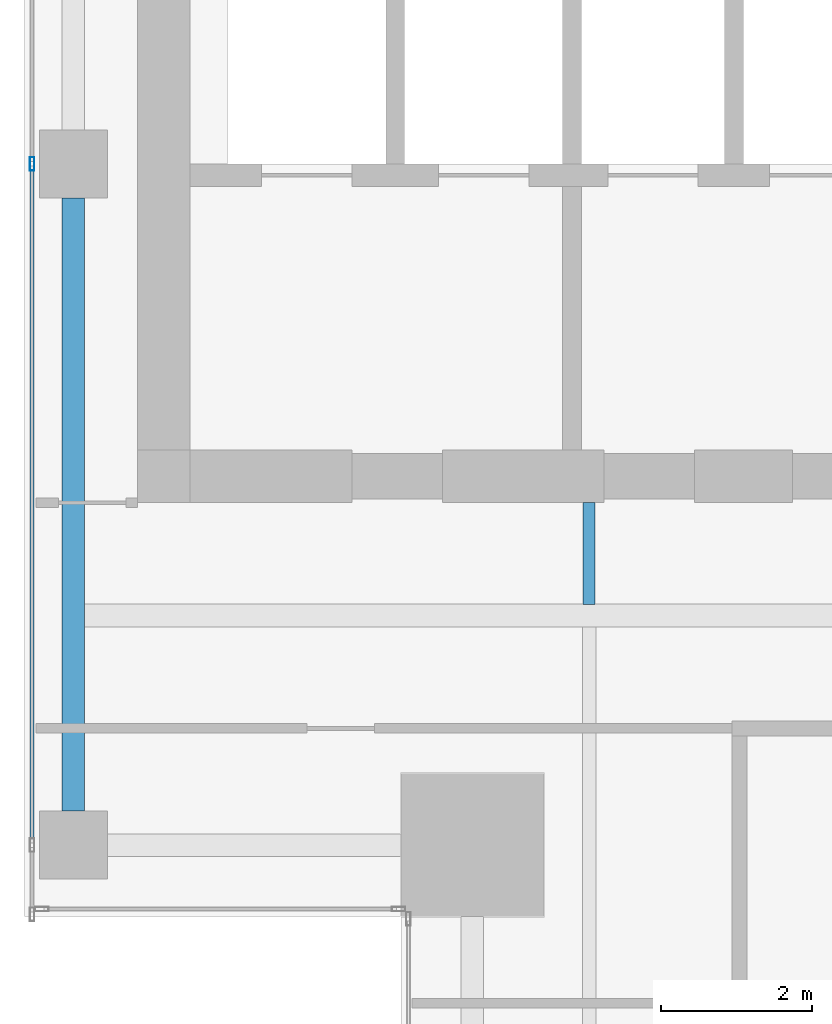
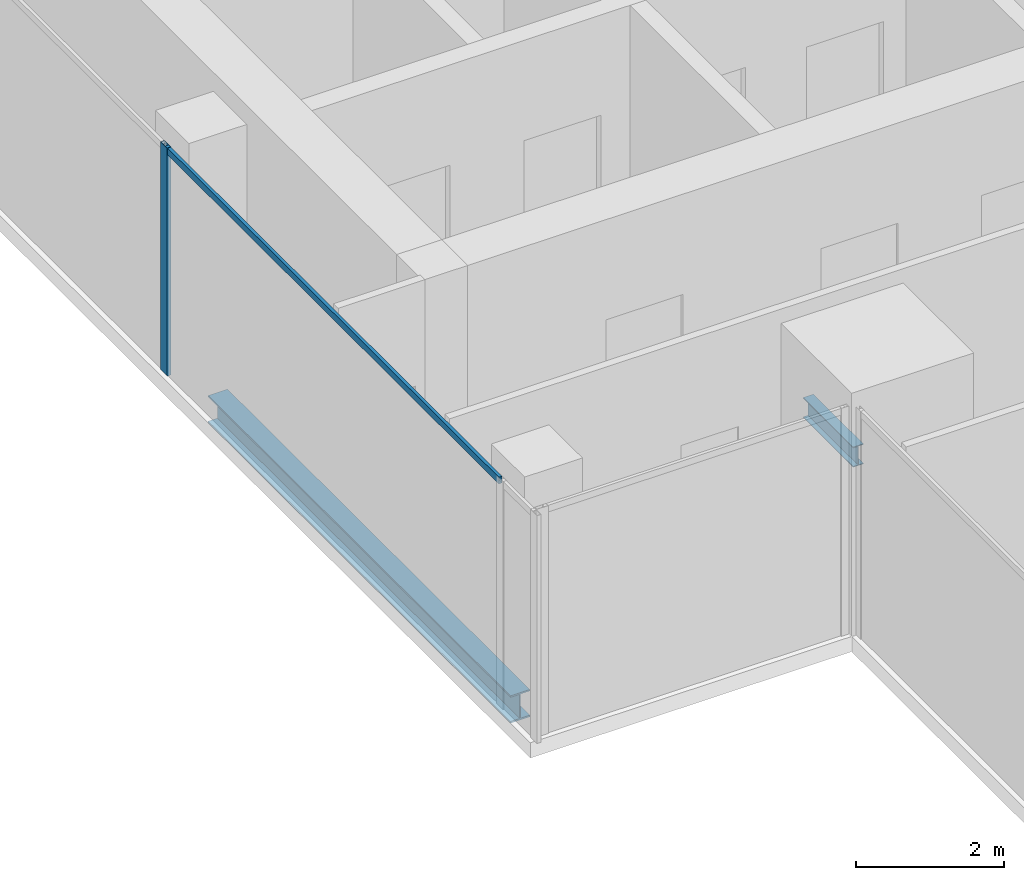
# One storey, part 4 of 35: 2 beams, 2 members, 1 element without a shape of its own.
"""IFC4 building model written with IfcOpenShell, lengths in metres."""

from ifc_helpers import new_model, si_unit, direction, frame, origin, origin_2d, place, context, subcontext, project, spatial, hollow_rectangle, i_section, extrude, source, transform, mapped, material, material_profile, profile_set, type_object, element, aggregate, save


model = new_model("IFC4")

# Units and contexts
model_context = context("Model", 3, precision=1e-05, world=origin(), true_north=direction((0.0, 1.0)))
body_context = subcontext(model_context, "Body", "Model", "MODEL_VIEW")
ifc_project = project(units=[si_unit("LENGTHUNIT", "METRE"), si_unit("AREAUNIT", "SQUARE_METRE"), si_unit("VOLUMEUNIT", "CUBIC_METRE"), si_unit("PLANEANGLEUNIT", "RADIAN"), si_unit("MASSUNIT", "GRAM", prefix="KILO")], contexts=[model_context])

# Site, building, storey
site_placement = place(None, origin())
site = spatial("IfcSite", under=ifc_project, at=site_placement, CompositionType="ELEMENT")
building_placement = place(site_placement, origin())
building = spatial("IfcBuilding", under=site, at=building_placement, Name="Khomas Fold Tower", CompositionType="ELEMENT")
storey_placement = place(building_placement, frame((0.0, 0.0, 270.199951171875)))
storey = spatial("IfcBuildingStorey", under=building, at=storey_placement, Name="L61", CompositionType="ELEMENT", Elevation=270.199951171875)

# Beams
ifc_material_1 = material(Name="Steel S355", Category="steel")
ifc_material_profile_1 = material_profile(ifc_material_1, i_section(OverallWidth=0.159912109375, OverallDepth=0.330078125, WebThickness=0.007568359375, FlangeThickness=0.011474609375, at=origin_2d()), Name="IPE 330")
ifc_profile_set_1 = profile_set([ifc_material_profile_1], Name="Steel S355")
beam_type_1 = type_object("IfcBeamType", Name="IPE 330 beam JB1", PredefinedType="BEAM", material=ifc_profile_set_1)
shared_shape_1 = source(origin(), body_context, "Body", "SweptSolid", [
    extrude(i_section(OverallWidth=0.159912109375, OverallDepth=0.330078125, WebThickness=0.007568359375, FlangeThickness=0.011474609375, at=origin_2d()), origin(), (0.0, 0.0, 1.0), 1.35009765625),
])
beam_1_placement = place(storey_placement, frame((12.0, 13.64990234375, -0.4150390625), z_axis=(0.0, 1.0, 0.0), x_axis=(-1.0, 0.0, 0.0)))
element("IfcBeam", 1, at=beam_1_placement, inside=storey, type_object=beam_type_1, Name="JB1", PredefinedType="BEAM", context=body_context, shape_type="MappedRepresentation", body=[
    mapped(shared_shape_1, transform((0.0, 0.0, 0.0))),
])
ifc_material_2 = material(Name="Steel S355", Category="steel")
ifc_material_profile_2 = material_profile(ifc_material_2, i_section(OverallWidth=0.300048828125, OverallDepth=0.449951171875, WebThickness=0.013916015625, FlangeThickness=0.02587890625, at=origin_2d()), Name="HE 450 B")
ifc_profile_set_2 = profile_set([ifc_material_profile_2], Name="Steel S355")
beam_type_2 = type_object("IfcBeamType", Name="HE 450 B spandrel SB4", PredefinedType="SPANDREL", material=ifc_profile_set_2)
shared_shape_2 = source(origin(), body_context, "Body", "SweptSolid", [
    extrude(i_section(OverallWidth=0.300048828125, OverallDepth=0.449951171875, WebThickness=0.013916015625, FlangeThickness=0.02587890625, at=origin_2d()), origin(), (0.0, 0.0, 1.0), 8.150146484375),
])
beam_2_placement = place(storey_placement, frame((5.14990234375, 10.89990234375, -0.474853515625), z_axis=(0.0, 1.0, 0.0), x_axis=(-1.0, 0.0, 0.0)))
element("IfcBeam", 2, at=beam_2_placement, inside=storey, type_object=beam_type_2, Name="SB4", PredefinedType="SPANDREL", context=body_context, shape_type="MappedRepresentation", body=[
    mapped(shared_shape_2, transform((0.0, 0.0, 0.0))),
])

# Curtain wall, members
ifc_material_3 = material(Name="Aluminium framed double glazing", Category="aluminium")
curtain_wall_type = type_object("IfcCurtainWallType", Name="SK-Unitised clear-glass wall, office floors CW2", PredefinedType="NOTDEFINED", material=ifc_material_3)
curtain_wall_placement = place(storey_placement, origin())
curtain_wall = element("IfcCurtainWall", 3, at=curtain_wall_placement, inside=storey, type_object=curtain_wall_type, Name="CW2 run L61 09-0", PredefinedType="NOTDEFINED")
ifc_material_4 = material(Name="Aluminium", Category="aluminium")
ifc_material_profile_3 = material_profile(ifc_material_4, hollow_rectangle(XDim=0.06005859375, YDim=0.179931640625, WallThickness=0.00390625, at=origin_2d()), Name="SK-Unitised clear-glass wall, office floors mullion CW2-M")
ifc_profile_set_3 = profile_set([ifc_material_profile_3], Name="Aluminium")
member_type_1 = type_object("IfcMemberType", Name="SK-Unitised clear-glass wall, office floors mullion CW2-M", PredefinedType="MULLION", material=ifc_profile_set_3)
shared_shape_3 = source(origin(), body_context, "Body", "SweptSolid", [
    extrude(hollow_rectangle(XDim=0.06005859375, YDim=0.179931640625, WallThickness=0.00390625, at=origin_2d()), origin(), (0.0, 0.0, 1.0), 3.75),
])
member_1_placement = place(storey_placement, frame((4.60009765625, 19.5, 0.0), z_axis=(0.0, 0.0, 1.0), x_axis=(1.0, 0.0, 0.0)))
member_1 = element("IfcMember", 4, at=member_1_placement, type_object=member_type_1, Name="CW2 mullion 5", PredefinedType="MULLION", context=body_context, shape_type="MappedRepresentation", body=[
    mapped(shared_shape_3, transform((0.0, 0.0, 0.0))),
])
ifc_material_5 = material(Name="Aluminium", Category="aluminium")
ifc_material_profile_4 = material_profile(ifc_material_5, hollow_rectangle(XDim=0.050048828125, YDim=0.110107421875, WallThickness=0.00390625, at=origin_2d()), Name="SK-Unitised clear-glass wall, office floors transom CW2-T")
ifc_profile_set_4 = profile_set([ifc_material_profile_4], Name="Aluminium")
member_type_2 = type_object("IfcMemberType", Name="SK-Unitised clear-glass wall, office floors transom CW2-T", PredefinedType="USERDEFINED", material=ifc_profile_set_4)
shared_shape_4 = source(origin(), body_context, "Body", "SweptSolid", [
    extrude(hollow_rectangle(XDim=0.050048828125, YDim=0.110107421875, WallThickness=0.00390625, at=origin_2d()), origin(), (0.0, 0.0, 1.0), 8.989990234375),
])
member_2_placement = place(storey_placement, frame((4.60009765625, 19.469970703125, 3.695068359375), z_axis=(0.0, -1.0, 0.0), x_axis=(1.0, 0.0, 0.0)))
member_2 = element("IfcMember", 5, at=member_2_placement, type_object=member_type_2, Name="CW2 transom 5", ObjectType="TRANSOM", PredefinedType="USERDEFINED", context=body_context, shape_type="MappedRepresentation", body=[
    mapped(shared_shape_4, transform((0.0, 0.0, 0.0))),
])
aggregate(curtain_wall, [member_1, member_2])

save(model, "model.ifc")
